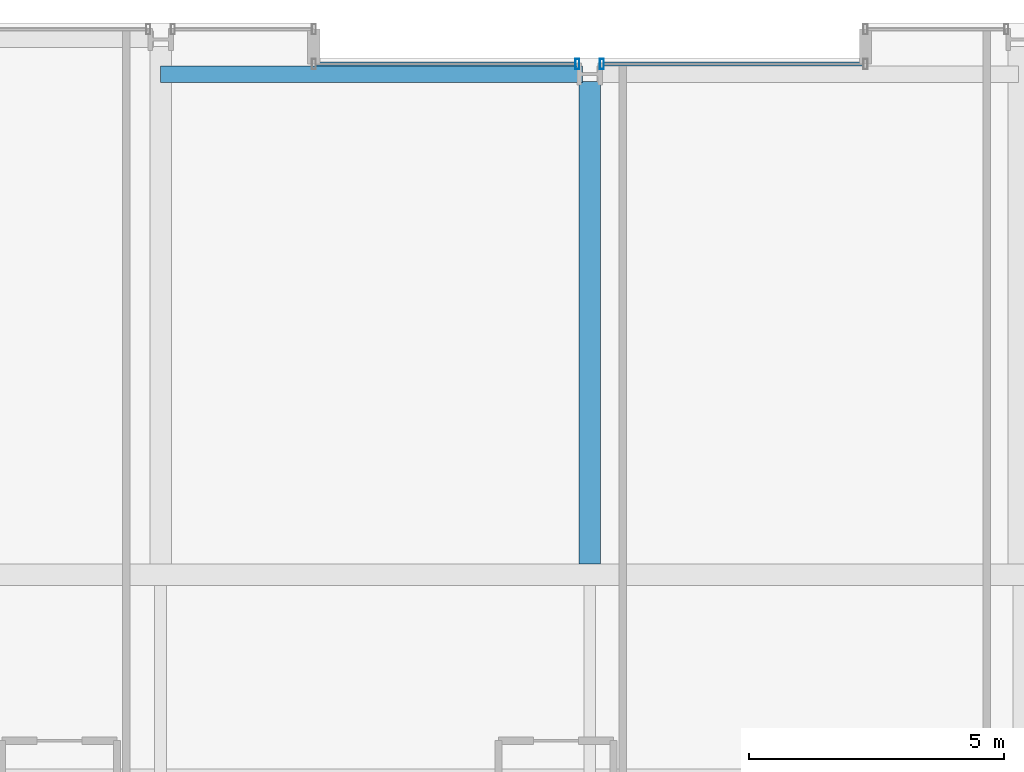
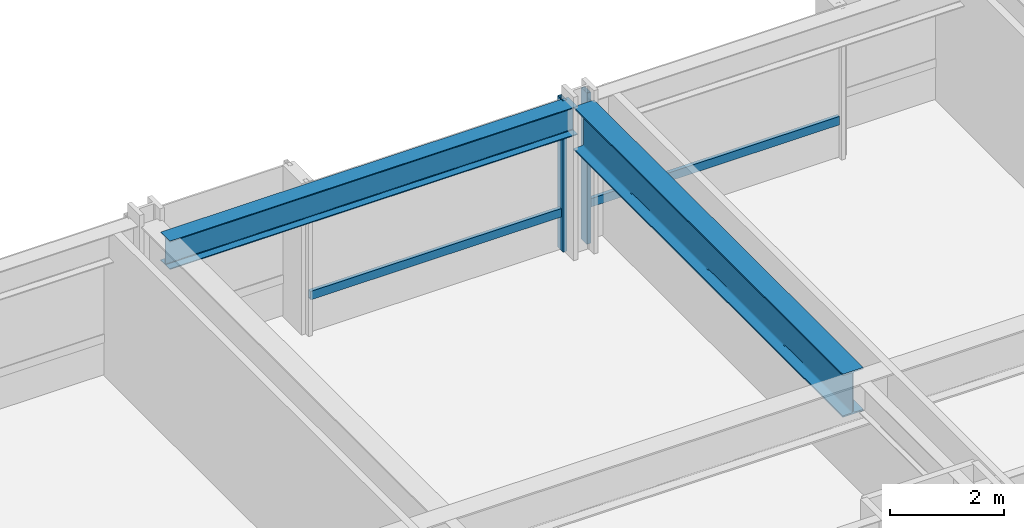
# One storey, part 23 of 38: 4 members, 2 beams, 2 elements without a shape of their own.
"""IFC4 building model written with IfcOpenShell, lengths in metres."""

from ifc_helpers import new_model, si_unit, direction, frame, origin, origin_2d, place, context, subcontext, project, spatial, hollow_rectangle, i_section, extrude, material, layer, layer_set, material_profile, profile_set, type_object, element, aggregate, save


model = new_model("IFC4")

# Units and contexts
model_context = context("Model", 3, precision=1e-05, world=origin(), true_north=direction((0.0, 1.0)))
body_context = subcontext(model_context, "Body", "Model", "MODEL_VIEW")
ifc_project = project(units=[si_unit("LENGTHUNIT", "METRE"), si_unit("AREAUNIT", "SQUARE_METRE"), si_unit("VOLUMEUNIT", "CUBIC_METRE"), si_unit("PLANEANGLEUNIT", "RADIAN"), si_unit("MASSUNIT", "GRAM", prefix="KILO")], contexts=[model_context])

# Site, building, storey
site_placement = place(None, origin())
site = spatial("IfcSite", under=ifc_project, at=site_placement, CompositionType="ELEMENT")
building_placement = place(site_placement, origin())
building = spatial("IfcBuilding", under=site, at=building_placement, Name="Drelvath Grand Hotel", CompositionType="ELEMENT")
storey_placement = place(building_placement, frame((0.0, 0.0, 47.199951171875)))
storey = spatial("IfcBuildingStorey", under=building, at=storey_placement, Name="L10", CompositionType="ELEMENT", Elevation=47.199951171875)

# Curtain wall, member
ifc_material_1 = material(Name="Warm Bronze Anodised Aluminium Frame", Category="aluminium")
ifc_layer = layer(ifc_material_1, 0.199951171875)
ifc_layer_set = layer_set([ifc_layer], Name="Warm Bronze Anodised Aluminium Frame")
curtain_wall_type = type_object("IfcCurtainWallType", Name="Stick Curtain Wall CW-02 Warm Bronze Low-Rise", PredefinedType="NOTDEFINED", material=ifc_layer_set)
curtain_wall_1_placement = place(storey_placement, origin())
curtain_wall_1 = element("IfcCurtainWall", 1, at=curtain_wall_1_placement, inside=storey, type_object=curtain_wall_type, Name="L10 CW-02 Curtain Wall CW02-L10-NM1", PredefinedType="NOTDEFINED")
ifc_material_profile_1 = material_profile(ifc_material_1, hollow_rectangle(XDim=0.074951171875, YDim=0.179931640625, WallThickness=0.0048828125, at=origin_2d()), Name="HSS180X75X5")
ifc_profile_set_1 = profile_set([ifc_material_profile_1], Name="Warm Bronze Anodised Aluminium Frame")
member_type_1 = type_object("IfcMemberType", Name="Curtain Wall Horizontal Transom CW-02 HSS180X75X5", PredefinedType="USERDEFINED", material=ifc_profile_set_1)
member_1_placement = place(storey_placement, frame((-5.360107421875, 53.199951171875, 0.81005859375), z_axis=(1.0, 0.0, 0.0), x_axis=(0.0, 1.0, 0.0)))
member_1 = element("IfcMember", 2, at=member_1_placement, type_object=member_type_1, Name="CW02-L10-NM1 Sill Transom", ObjectType="TRANSOM", PredefinedType="USERDEFINED", context=body_context, shape_type="SweptSolid", body=[
    extrude(hollow_rectangle(XDim=0.074951171875, YDim=0.179931640625, WallThickness=0.0048828125, at=origin_2d()), origin(), (0.0, 0.0, 1.0), 5.0791015625),
])

curtain_wall_2_placement = place(storey_placement, origin())
curtain_wall_2 = element("IfcCurtainWall", 3, at=curtain_wall_2_placement, inside=storey, type_object=curtain_wall_type, Name="L10 CW-02 Curtain Wall CW02-L10-NM2", PredefinedType="NOTDEFINED")
member_2_placement = place(storey_placement, frame((0.281005859375, 53.199951171875, 0.81005859375), z_axis=(1.0, 0.0, 0.0), x_axis=(0.0, 1.0, 0.0)))
member_2 = element("IfcMember", 4, at=member_2_placement, type_object=member_type_1, Name="CW02-L10-NM2 Sill Transom", ObjectType="TRANSOM", PredefinedType="USERDEFINED", context=body_context, shape_type="SweptSolid", body=[
    extrude(hollow_rectangle(XDim=0.074951171875, YDim=0.179931640625, WallThickness=0.0048828125, at=origin_2d()), origin(), (0.0, 0.0, 1.0), 5.0791015625),
])

# Member
ifc_material_profile_2 = material_profile(ifc_material_1, hollow_rectangle(XDim=0.080078125, YDim=0.199951171875, WallThickness=0.0048828125, at=origin_2d()), Name="HSS200X80X5")
ifc_profile_set_2 = profile_set([ifc_material_profile_2], Name="Warm Bronze Anodised Aluminium Frame")
member_type_2 = type_object("IfcMemberType", Name="Curtain Wall Vertical Mullion CW-02 HSS200X80X5", PredefinedType="MULLION", material=ifc_profile_set_2)
member_3_placement = place(storey_placement, frame((-0.240966796875, 53.199951171875, 0.0), z_axis=(0.0, 0.0, 1.0), x_axis=(1.0, 0.0, 0.0)))
member_3 = element("IfcMember", 5, at=member_3_placement, type_object=member_type_2, Name="CW02-L10-NM1 Mullion 2", PredefinedType="MULLION", context=body_context, shape_type="SweptSolid", body=[
    extrude(hollow_rectangle(XDim=0.080078125, YDim=0.199951171875, WallThickness=0.0048828125, at=origin_2d()), origin(), (0.0, 0.0, 1.0), 3.239990234375),
])

aggregate(curtain_wall_1, [member_3, member_1])

member_4_placement = place(storey_placement, frame((0.240966796875, 53.199951171875, 0.0), z_axis=(0.0, 0.0, 1.0), x_axis=(1.0, 0.0, 0.0)))
member_4 = element("IfcMember", 6, at=member_4_placement, type_object=member_type_2, Name="CW02-L10-NM2 Mullion 1", PredefinedType="MULLION", context=body_context, shape_type="SweptSolid", body=[
    extrude(hollow_rectangle(XDim=0.080078125, YDim=0.199951171875, WallThickness=0.0048828125, at=origin_2d()), origin(), (0.0, 0.0, 1.0), 3.239990234375),
])

aggregate(curtain_wall_2, [member_4, member_2])

# Beams
ifc_material_2 = material(Name="Steel ASTM A992 Gr 50", Category="steel")
ifc_material_profile_3 = material_profile(ifc_material_2, i_section(OverallWidth=0.323974609375, OverallDepth=0.611083984375, WebThickness=0.0126953125, FlangeThickness=0.01904296875, FilletRadius=0.02197265625, at=origin_2d()), Name="W24X104")
ifc_profile_set_3 = profile_set([ifc_material_profile_3], Name="Steel ASTM A992 Gr 50")
beam_type_1 = type_object("IfcBeamType", Name="Perimeter Spandrel Beam W24X104", PredefinedType="SPANDREL", material=ifc_profile_set_3)
beam_1_placement = place(storey_placement, frame((-8.39990234375, 53.0, 2.9345703125), z_axis=(1.0, 0.0, 0.0), x_axis=(0.0, 1.0, 0.0)))
element("IfcBeam", 7, at=beam_1_placement, inside=storey, type_object=beam_type_1, Name="L10 Spandrel North Mid W", PredefinedType="SPANDREL", context=body_context, shape_type="SweptSolid", body=[
    extrude(i_section(OverallWidth=0.323974609375, OverallDepth=0.611083984375, WebThickness=0.0126953125, FlangeThickness=0.01904296875, FilletRadius=0.02197265625, at=origin_2d()), origin(), (0.0, 0.0, 1.0), 8.260009765625),
])
ifc_material_profile_4 = material_profile(ifc_material_2, i_section(OverallWidth=0.418212890625, OverallDepth=0.926513671875, WebThickness=0.019287109375, FlangeThickness=0.031982421875, FilletRadius=0.028076171875, at=origin_2d()), Name="W36X231")
ifc_profile_set_4 = profile_set([ifc_material_profile_4], Name="Steel ASTM A992 Gr 50")
beam_type_2 = type_object("IfcBeamType", Name="Primary Floor Girder W36X231", PredefinedType="BEAM", material=ifc_profile_set_4)
beam_2_placement = place(storey_placement, frame((0.0, 43.4091796875, 2.77685546875), z_axis=(0.0, 1.0, 0.0), x_axis=(-1.0, 0.0, 0.0)))
element("IfcBeam", 8, at=beam_2_placement, inside=storey, type_object=beam_type_2, Name="L10 North Wing Girder 5", PredefinedType="BEAM", context=body_context, shape_type="SweptSolid", body=[
    extrude(i_section(OverallWidth=0.418212890625, OverallDepth=0.926513671875, WebThickness=0.019287109375, FlangeThickness=0.031982421875, FilletRadius=0.028076171875, at=origin_2d()), origin(), (0.0, 0.0, 1.0), 9.450927734375),
])

save(model, "model.ifc")
